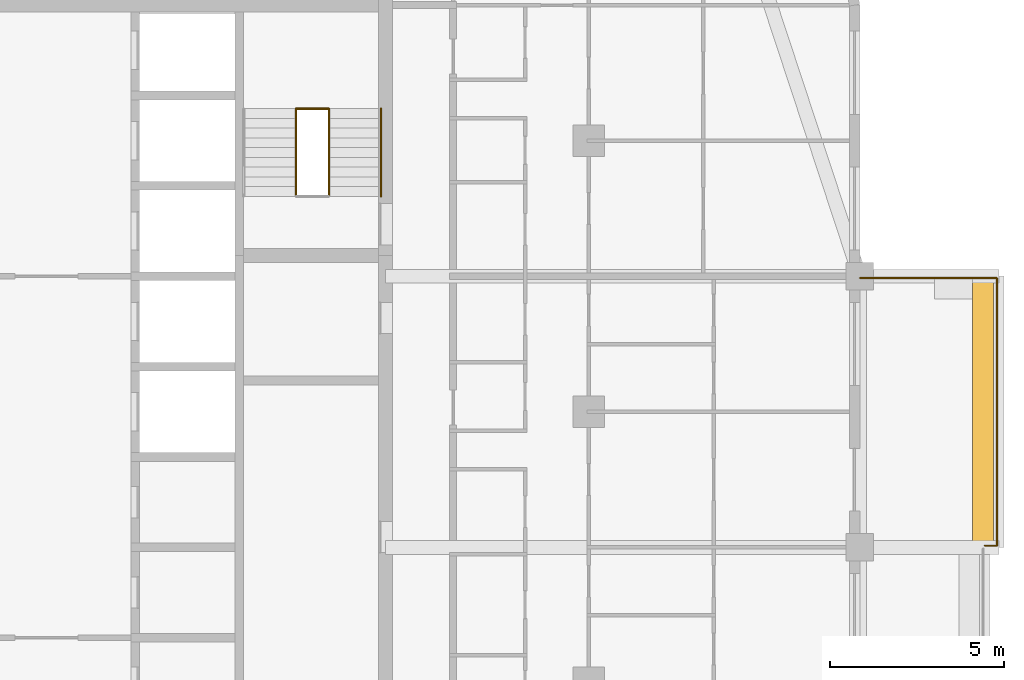
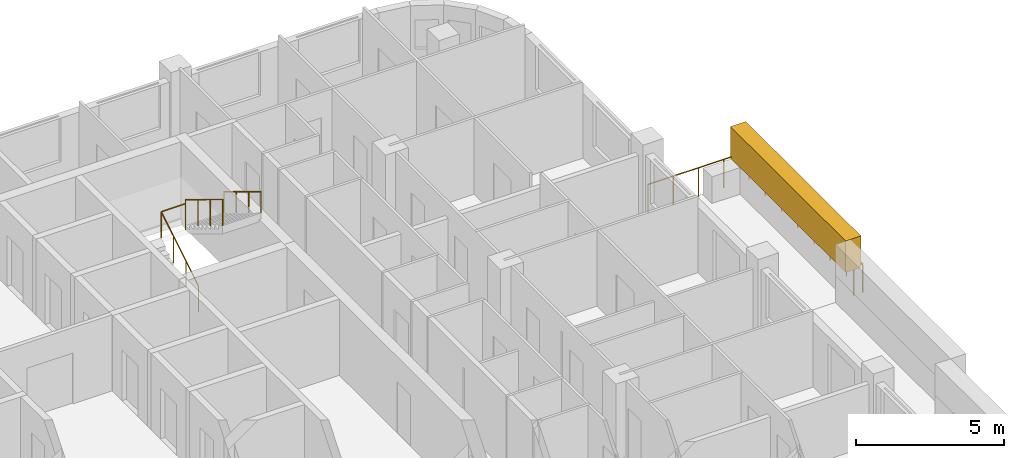
# One storey, part 16 of 17: 5 railings, 1 covering, 1 element without a shape of its own.
"""IFC4 building model written with IfcOpenShell, lengths in metres."""

from ifc_helpers import new_model, si_unit, direction, frame, origin, origin_2d, place, context, subcontext, project, spatial, rectangle, circle, extrude, material, layer, layer_set, type_object, element, aggregate, save


model = new_model("IFC4")

# Units and contexts
model_context = context("Model", 3, precision=1e-05, world=origin(), true_north=direction((0.0, 1.0)))
body_context = subcontext(model_context, "Body", "Model", "MODEL_VIEW")
ifc_project = project(units=[si_unit("LENGTHUNIT", "METRE"), si_unit("AREAUNIT", "SQUARE_METRE"), si_unit("VOLUMEUNIT", "CUBIC_METRE"), si_unit("PLANEANGLEUNIT", "RADIAN"), si_unit("MASSUNIT", "GRAM", prefix="KILO")], contexts=[model_context])

# Site, building, storey
site_placement = place(None, origin())
site = spatial("IfcSite", under=ifc_project, at=site_placement, CompositionType="ELEMENT")
building_placement = place(site_placement, origin())
building = spatial("IfcBuilding", under=site, at=building_placement, Name="Ludao Terraces", CompositionType="ELEMENT")
storey_placement = place(building_placement, frame((0.0, 0.0, 231.300048828125)))
storey = spatial("IfcBuildingStorey", under=building, at=storey_placement, Name="L63", CompositionType="ELEMENT", Elevation=231.300048828125)

# Railing
ifc_material_1 = material(Name="Stainless steel 304", Category="steel")
railing_type_1 = type_object("IfcRailingType", Name="ENV Balcony glass guard 1200", PredefinedType="GUARDRAIL", material=ifc_material_1)
railing_1_placement = place(storey_placement, frame((112.0, 68.949951171875, 0.0)))
element("IfcRailing", 1, at=railing_1_placement, inside=storey, type_object=railing_type_1, Name="Balcony guard L63 E3", PredefinedType="GUARDRAIL", context=body_context, shape_type="SweptSolid", body=[
    extrude(circle(Radius=0.02392578125, at=origin_2d()), frame((0.0, 0.0, 1.17578125), z_axis=(1.0, 0.0, 0.0), x_axis=(0.0, 1.0, 0.0)), (0.0, 0.0, 1.0), 0.35009765625),
    extrude(circle(Radius=0.02392578125, at=origin_2d()), frame((0.35009765625, 0.0, 1.17578125), z_axis=(0.0, 1.0, 0.0), x_axis=(-1.0, 0.0, 0.0)), (0.0, 0.0, 1.0), 7.699951171875),
    extrude(circle(Radius=0.02392578125, at=origin_2d()), frame((0.35009765625, 7.699951171875, 1.17578125), z_axis=(-1.0, 0.0, 0.0), x_axis=(0.0, -1.0, 0.0)), (0.0, 0.0, 1.0), 3.9501953125),
    extrude(circle(Radius=0.02099609375, at=origin_2d()), origin(), (0.0, 0.0, 1.0), 1.15185546875),
    extrude(circle(Radius=0.02099609375, at=origin_2d()), frame((0.35009765625, 0.0, 0.0)), (0.0, 0.0, 1.0), 1.15185546875),
    extrude(circle(Radius=0.02099609375, at=origin_2d()), frame((0.35009765625, 1.10009765625, 0.0)), (0.0, 0.0, 1.0), 1.15185546875),
    extrude(circle(Radius=0.02099609375, at=origin_2d()), frame((0.35009765625, 2.199951171875, 0.0)), (0.0, 0.0, 1.0), 1.15185546875),
    extrude(circle(Radius=0.02099609375, at=origin_2d()), frame((0.35009765625, 3.300048828125, 0.0)), (0.0, 0.0, 1.0), 1.15185546875),
    extrude(circle(Radius=0.02099609375, at=origin_2d()), frame((0.35009765625, 4.39990234375, 0.0)), (0.0, 0.0, 1.0), 1.15185546875),
    extrude(circle(Radius=0.02099609375, at=origin_2d()), frame((0.35009765625, 5.5, 0.0)), (0.0, 0.0, 1.0), 1.15185546875),
    extrude(circle(Radius=0.02099609375, at=origin_2d()), frame((0.35009765625, 6.599853515625, 0.0)), (0.0, 0.0, 1.0), 1.15185546875),
    extrude(circle(Radius=0.02099609375, at=origin_2d()), frame((0.35009765625, 7.699951171875, 0.0)), (0.0, 0.0, 1.0), 1.15185546875),
    extrude(circle(Radius=0.02099609375, at=origin_2d()), frame((-0.637451171875, 7.699951171875, 0.0)), (0.0, 0.0, 1.0), 1.15185546875),
    extrude(circle(Radius=0.02099609375, at=origin_2d()), frame((-1.625, 7.699951171875, 0.0)), (0.0, 0.0, 1.0), 1.15185546875),
    extrude(circle(Radius=0.02099609375, at=origin_2d()), frame((-2.612548828125, 7.699951171875, 0.0)), (0.0, 0.0, 1.0), 1.15185546875),
    extrude(circle(Radius=0.02099609375, at=origin_2d()), frame((-3.60009765625, 7.699951171875, 0.0)), (0.0, 0.0, 1.0), 1.15185546875),
])

# Covering
ifc_material_2 = material(Name="Planting")
ifc_layer = layer(ifc_material_2, 0.60009765625)
ifc_layer_set = layer_set([ifc_layer], Name="ENV Planting hedge 600x1300")
covering_type = type_object("IfcCoveringType", Name="ENV Planting hedge 600x1300", PredefinedType="USERDEFINED", material=ifc_layer_set)
covering_placement = place(storey_placement, frame((111.949951171875, 72.800048828125, 1.10009765625), z_axis=(0.0, 0.0, 1.0), x_axis=(1.0, 0.0, 0.0)))
element("IfcCovering", 2, at=covering_placement, inside=storey, type_object=covering_type, Name="Planting hedge L63-E3", ObjectType="PLANTING", PredefinedType="USERDEFINED", context=body_context, shape_type="SweptSolid", body=[
    extrude(rectangle(XDim=0.60009765625, YDim=7.800048828125, at=origin_2d()), origin(), (0.0, 0.0, 1.0), 1.300048828125),
])

# Stair, railings
ifc_material_3 = material(Name="Concrete C40", Category="concrete")
stair_type = type_object("IfcStairType", Name="INT Stair", PredefinedType="HALF_TURN_STAIR", material=ifc_material_3)
stair_placement = place(storey_placement, origin())
stair = element("IfcStair", 3, at=stair_placement, inside=storey, type_object=stair_type, Name="EXIT STAIR 2", PredefinedType="HALF_TURN_STAIR")
railing_type_2 = type_object("IfcRailingType", Name="INT Stair guard 1100", PredefinedType="GUARDRAIL", material=ifc_material_1)
railing_2_placement = place(storey_placement, frame((92.175048828125, 79.0, 0.169921875)))
railing_2 = element("IfcRailing", 4, at=railing_2_placement, type_object=railing_type_2, Name="ST-L63-S2-R1G", PredefinedType="GUARDRAIL", context=body_context, shape_type="SweptSolid", body=[
    extrude(circle(Radius=0.02392578125, at=origin_2d()), frame((0.0, 0.0, 1.076171875), z_axis=(0.0, 0.85478489116, 0.518982456201), x_axis=(-1.0, 0.0, 0.0)), (0.0, 0.0, 1.0), 2.9482421875),
    extrude(circle(Radius=0.02099609375, at=origin_2d()), origin(), (0.0, 0.0, 1.0), 1.052001953125),
    extrude(circle(Radius=0.02099609375, at=origin_2d()), frame((0.0, 0.840087890625, 0.510009765625)), (0.0, 0.0, 1.0), 1.052001953125),
    extrude(circle(Radius=0.02099609375, at=origin_2d()), frame((0.0, 1.679931640625, 1.02001953125)), (0.0, 0.0, 1.0), 1.052001953125),
    extrude(circle(Radius=0.02099609375, at=origin_2d()), frame((0.0, 2.52001953125, 1.530029296875)), (0.0, 0.0, 1.0), 1.052001953125),
])
railing_3_placement = place(storey_placement, frame((93.125, 81.52001953125, 1.869873046875)))
railing_3 = element("IfcRailing", 5, at=railing_3_placement, type_object=railing_type_2, Name="ST-L63-S2-R2G", PredefinedType="GUARDRAIL", context=body_context, shape_type="SweptSolid", body=[
    extrude(circle(Radius=0.02392578125, at=origin_2d()), frame((0.0, 0.0, 1.076171875), z_axis=(0.0, -0.85478489116, 0.518982456201), x_axis=(1.0, 0.0, 0.0)), (0.0, 0.0, 1.0), 2.9482421875),
    extrude(circle(Radius=0.02099609375, at=origin_2d()), origin(), (0.0, 0.0, 1.0), 1.052001953125),
    extrude(circle(Radius=0.02099609375, at=origin_2d()), frame((0.0, -0.840087890625, 0.510009765625)), (0.0, 0.0, 1.0), 1.052001953125),
    extrude(circle(Radius=0.02099609375, at=origin_2d()), frame((0.0, -1.679931640625, 1.02001953125)), (0.0, 0.0, 1.0), 1.052001953125),
    extrude(circle(Radius=0.02099609375, at=origin_2d()), frame((0.0, -2.52001953125, 1.530029296875)), (0.0, 0.0, 1.0), 1.052001953125),
])
railing_4_placement = place(storey_placement, frame((92.175048828125, 81.52001953125, 1.699951171875)))
railing_4 = element("IfcRailing", 6, at=railing_4_placement, type_object=railing_type_2, Name="ST-L63-S2-E1G", PredefinedType="GUARDRAIL", context=body_context, shape_type="SweptSolid", body=[
    extrude(circle(Radius=0.02392578125, at=origin_2d()), frame((0.0, 0.0, 1.076171875), z_axis=(1.0, 0.0, 0.0), x_axis=(0.0, 1.0, 0.0)), (0.0, 0.0, 1.0), 0.949951171875),
    extrude(circle(Radius=0.02099609375, at=origin_2d()), origin(), (0.0, 0.0, 1.0), 1.052001953125),
    extrude(circle(Radius=0.02099609375, at=origin_2d()), frame((0.949951171875, 0.0, 0.0)), (0.0, 0.0, 1.0), 1.052001953125),
])
railing_type_3 = type_object("IfcRailingType", Name="INT Stair handrail 900", PredefinedType="HANDRAIL", material=ifc_material_1)
railing_5_placement = place(storey_placement, frame((94.625, 81.52001953125, 1.869873046875)))
railing_5 = element("IfcRailing", 7, at=railing_5_placement, type_object=railing_type_3, Name="ST-L63-S2-R2H", PredefinedType="HANDRAIL", context=body_context, shape_type="SweptSolid", body=[
    extrude(circle(Radius=0.02392578125, at=origin_2d()), frame((0.0, 0.0, 0.8759765625), z_axis=(0.0, -0.85478489116, 0.518982456201), x_axis=(1.0, 0.0, 0.0)), (0.0, 0.0, 1.0), 2.9482421875),
    extrude(circle(Radius=0.02099609375, at=origin_2d()), origin(), (0.0, 0.0, 1.0), 0.851806640625),
    extrude(circle(Radius=0.02099609375, at=origin_2d()), frame((0.0, -0.840087890625, 0.510009765625)), (0.0, 0.0, 1.0), 0.851806640625),
    extrude(circle(Radius=0.02099609375, at=origin_2d()), frame((0.0, -1.679931640625, 1.02001953125)), (0.0, 0.0, 1.0), 0.851806640625),
    extrude(circle(Radius=0.02099609375, at=origin_2d()), frame((0.0, -2.52001953125, 1.530029296875)), (0.0, 0.0, 1.0), 0.851806640625),
])
aggregate(stair, [railing_2, railing_3, railing_5, railing_4])

save(model, "model.ifc")
